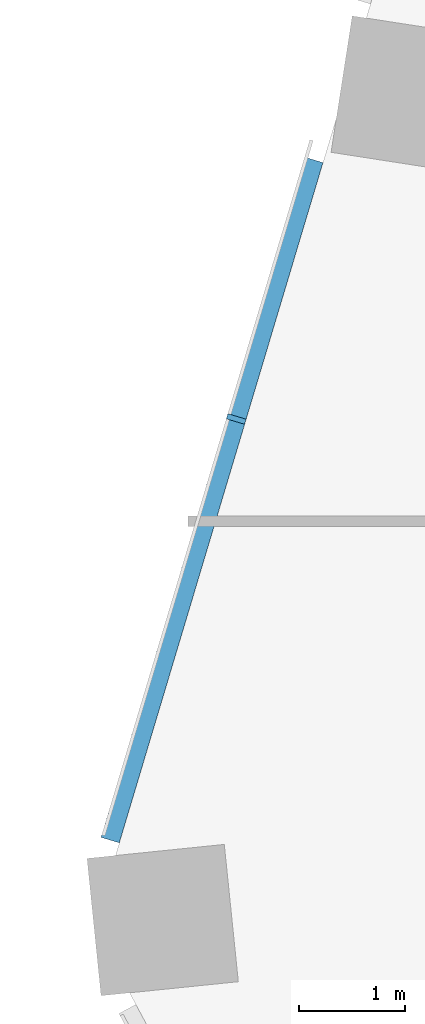
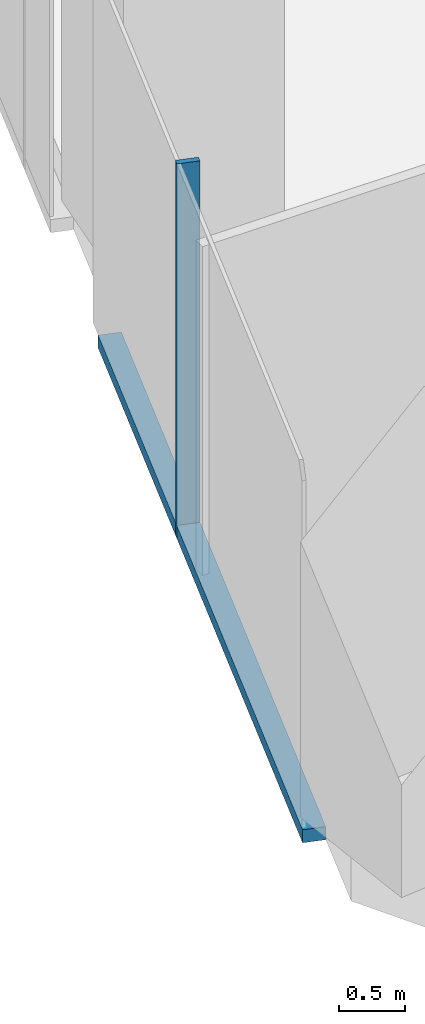
# One storey, part 7 of 34: 2 members, 1 element without a shape of its own.
"""IFC4 building model written with IfcOpenShell, lengths in metres."""

from ifc_helpers import new_model, si_unit, direction, frame, origin, origin_2d, place, context, subcontext, project, spatial, rectangle, extrude, material, material_profile, profile_set, type_object, element, aggregate, save


model = new_model("IFC4")

# Units and contexts
model_context = context("Model", 3, precision=1e-05, world=origin(), true_north=direction((0.0, 1.0)))
body_context = subcontext(model_context, "Body", "Model", "MODEL_VIEW")
ifc_project = project(units=[si_unit("LENGTHUNIT", "METRE"), si_unit("AREAUNIT", "SQUARE_METRE"), si_unit("VOLUMEUNIT", "CUBIC_METRE"), si_unit("PLANEANGLEUNIT", "RADIAN"), si_unit("MASSUNIT", "GRAM", prefix="KILO")], contexts=[model_context])

# Site, building, storey
site_placement = place(None, origin())
site = spatial("IfcSite", under=ifc_project, at=site_placement, CompositionType="ELEMENT")
building_placement = place(site_placement, origin())
building = spatial("IfcBuilding", under=site, at=building_placement, Name="Orlundy Tower", CompositionType="ELEMENT")
storey_placement = place(building_placement, frame((0.0, 0.0, 137.699951171875)))
storey = spatial("IfcBuildingStorey", under=building, at=storey_placement, Name="L35", CompositionType="ELEMENT", Elevation=137.699951171875)

# Curtain wall, members
ifc_material_1 = material(Name="Aluminium bronze anodised", Category="aluminium")
curtain_wall_type = type_object("IfcCurtainWallType", Name="CW1 wall", PredefinedType="NOTDEFINED", material=ifc_material_1)
curtain_wall_placement = place(storey_placement, origin())
curtain_wall = element("IfcCurtainWall", 1, at=curtain_wall_placement, inside=storey, type_object=curtain_wall_type, Name="CW1 run 02", PredefinedType="NOTDEFINED")
ifc_material_2 = material(Name="Aluminium bronze anodised", Category="aluminium")
ifc_material_profile_1 = material_profile(ifc_material_2, rectangle(XDim=0.179931640625, YDim=0.050048828125, at=origin_2d()), Name="CW1 mullion 50x180")
ifc_profile_set_1 = profile_set([ifc_material_profile_1], Name="Aluminium bronze anodised")
member_type_1 = type_object("IfcMemberType", Name="CW1 mullion 50x180", PredefinedType="MULLION", material=ifc_profile_set_1)
member_1_placement = place(storey_placement, frame((-30.964599609375, 1.4873046875, -0.39990234375), z_axis=(0.0, 0.0, 1.0), x_axis=(-0.957985612971, 0.286816257107, 0.0)))
member_1 = element("IfcMember", 2, at=member_1_placement, type_object=member_type_1, Name="CW1 mullion 10", PredefinedType="MULLION", context=body_context, shape_type="SweptSolid", body=[
    extrude(rectangle(XDim=0.179931640625, YDim=0.050048828125, at=origin_2d()), origin(), (0.0, 0.0, 1.0), 3.449951171875),
])
ifc_material_3 = material(Name="Aluminium bronze anodised", Category="aluminium")
ifc_material_profile_2 = material_profile(ifc_material_3, rectangle(XDim=0.179931640625, YDim=0.1201171875, at=origin_2d()), Name="CW1 transom 180x120")
ifc_profile_set_2 = profile_set([ifc_material_profile_2], Name="Aluminium bronze anodised")
member_type_2 = type_object("IfcMemberType", Name="CW1 transom 180x120", PredefinedType="USERDEFINED", material=ifc_profile_set_2)
member_2_placement = place(storey_placement, frame((-32.152587890625, -2.48046875, -0.33984375), z_axis=(0.286825574838, 0.957982823238, 0.0), x_axis=(-0.957982823238, 0.286825574838, 0.0)))
member_2 = element("IfcMember", 3, at=member_2_placement, type_object=member_type_2, Name="CW1 transom", ObjectType="TRANSOM", PredefinedType="USERDEFINED", context=body_context, shape_type="SweptSolid", body=[
    extrude(rectangle(XDim=0.179931640625, YDim=0.1201171875, at=origin_2d()), origin(), (0.0, 0.0, 1.0), 6.690185546875),
])
aggregate(curtain_wall, [member_1, member_2])

save(model, "model.ifc")
